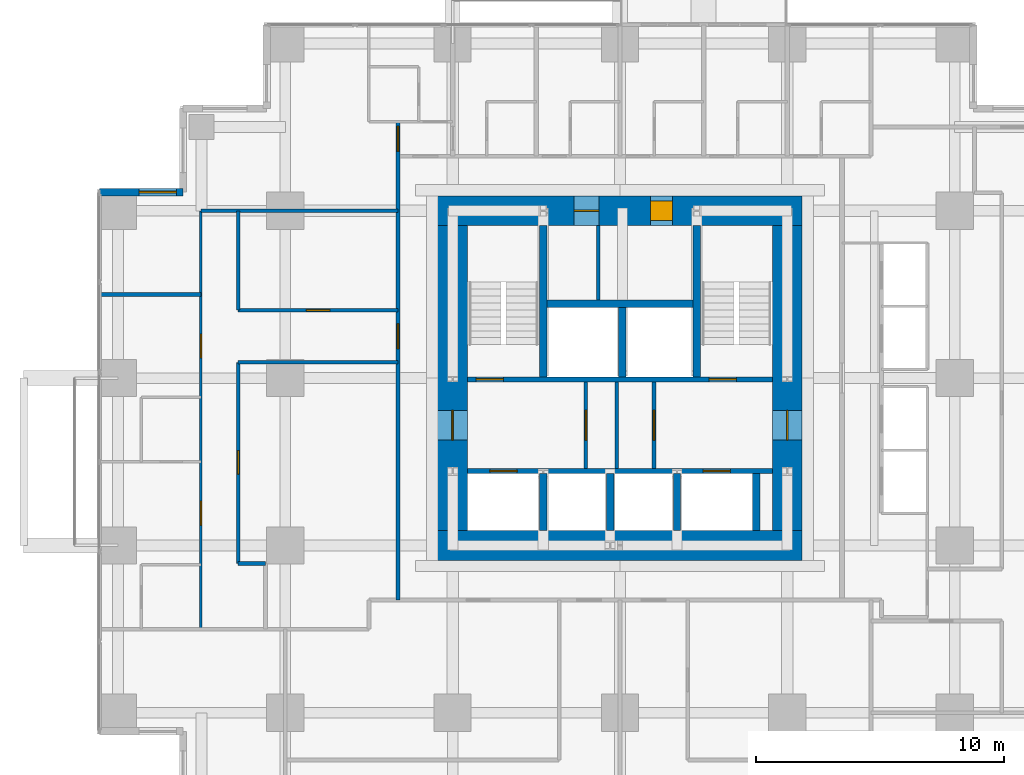
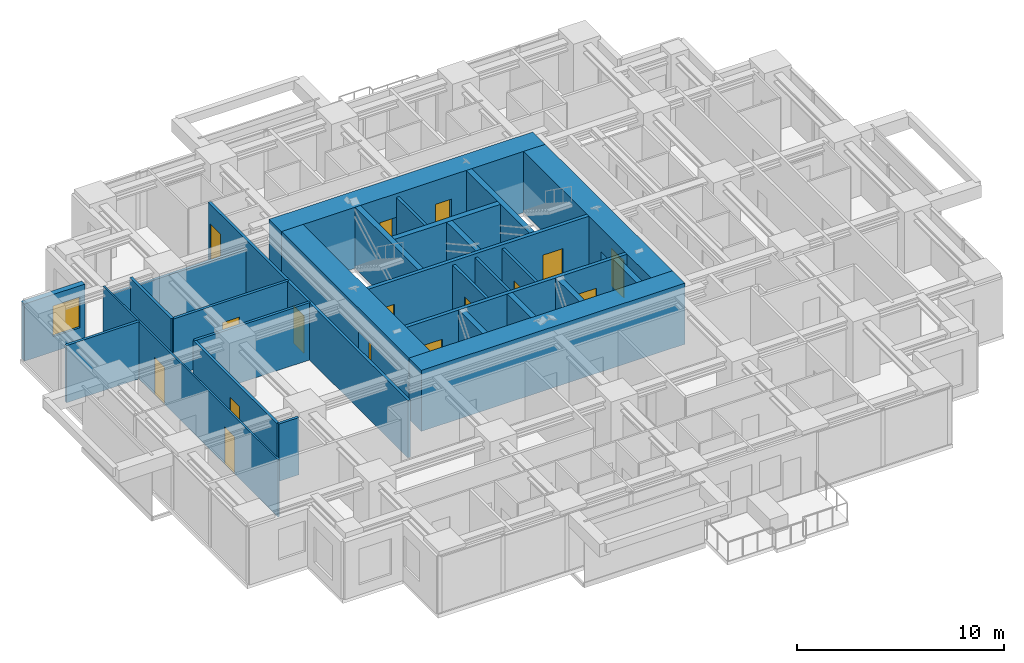
# One storey, part 8 of 12: 28 walls, 16 doors, 1 window, 17 openings.
"""IFC4 building model written with IfcOpenShell, lengths in metres."""

from ifc_helpers import new_model, si_unit, direction, frame, frame_2d, origin, place, context, subcontext, project, spatial, rectangle, extrude, material, layer, layer_set, type_object, element, fill, save


model = new_model("IFC4")

# Units and contexts
model_context = context("Model", 3, precision=1e-05, world=origin(), true_north=direction((0.0, 1.0)))
body_context = subcontext(model_context, "Body", "Model", "MODEL_VIEW")
ifc_project = project(units=[si_unit("LENGTHUNIT", "METRE"), si_unit("AREAUNIT", "SQUARE_METRE"), si_unit("VOLUMEUNIT", "CUBIC_METRE"), si_unit("PLANEANGLEUNIT", "RADIAN"), si_unit("MASSUNIT", "GRAM", prefix="KILO")], contexts=[model_context])

# Site, building, storey
site_placement = place(None, origin())
site = spatial("IfcSite", under=ifc_project, at=site_placement, CompositionType="ELEMENT")
building_placement = place(site_placement, origin())
building = spatial("IfcBuilding", under=site, at=building_placement, Name="Nyansa Garden Tower", CompositionType="ELEMENT")
storey_placement = place(building_placement, frame((0.0, 0.0, 119.699951171875)))
storey = spatial("IfcBuildingStorey", under=building, at=storey_placement, Name="L32", CompositionType="ELEMENT", Elevation=119.699951171875)

# Wall, openings, doors
ifc_material_1 = material(Name="Concrete C70/85", Category="concrete")
ifc_layer_1 = layer(ifc_material_1, 0.199951171875)
ifc_layer_set_1 = layer_set([ifc_layer_1], Name="Core inner wall CI200")
wall_type_1 = type_object("IfcWallType", Name="Core inner wall CI200", PredefinedType="SHEAR", material=ifc_layer_set_1)
wall_1_placement = place(storey_placement, frame((14.10009765625, 16.5, 0.0), z_axis=(0.0, 0.0, 1.0), x_axis=(1.0, 0.0, 0.0)))
wall_1 = element("IfcWall", 1, at=wall_1_placement, inside=storey, type_object=wall_type_1, Name="Core inner wall L32", PredefinedType="SHEAR", context=body_context, shape_type="SweptSolid", body=[
    extrude(rectangle(XDim=12.2998046875, YDim=0.199951171875, at=frame_2d((6.14990234375, 0.0))), origin(), (0.0, 0.0, 1.0), 3.60009765625),
])
opening_1_placement = place(wall_1_placement, frame((0.89990234375, 0.0, 0.0)))
opening_1 = element("IfcOpeningElement", 2, at=opening_1_placement, cuts=wall_1, Name="Opening LD-F", PredefinedType="OPENING", context=body_context, shape_type="SweptSolid", body=[
    extrude(rectangle(XDim=1.10009765625, YDim=2.199951171875, at=frame_2d((0.550048828125, 1.10009765625))), frame((0.0, 0.10986328125, 0.0), z_axis=(0.0, -1.0, 0.0), x_axis=(1.0, 0.0, 0.0)), (0.0, 0.0, 1.0), 0.219970703125),
])
opening_2_placement = place(wall_1_placement, frame((9.5, 0.0, 0.0)))
opening_2 = element("IfcOpeningElement", 3, at=opening_2_placement, cuts=wall_1, Name="Opening LD-F", PredefinedType="OPENING", context=body_context, shape_type="SweptSolid", body=[
    extrude(rectangle(XDim=1.10009765625, YDim=2.199951171875, at=frame_2d((0.550048828125, 1.10009765625))), frame((0.0, 0.10986328125, 0.0), z_axis=(0.0, -1.0, 0.0), x_axis=(1.0, 0.0, 0.0)), (0.0, 0.0, 1.0), 0.219970703125),
])
ifc_material_2 = material(Name="Stainless steel centre-opening landing door of the firefighting lift, EN 81-72, E 120", Category="steel")
door_type_1 = type_object("IfcDoorType", Name="Lift landing door LD-F 1100x2200", OperationType="DOUBLE_DOOR_SLIDING", PredefinedType="DOOR", material=ifc_material_2)
door_1_placement = place(opening_1_placement, origin())
door_1 = element("IfcDoor", 4, at=door_1_placement, inside=storey, type_object=door_type_1, Name="Landing door FF1", OperationType="DOUBLE_DOOR_SLIDING", OverallHeight=2.199951171875, OverallWidth=1.10009765625, PredefinedType="DOOR", context=body_context, shape_type="SweptSolid", body=[
    extrude(rectangle(XDim=1.10009765625, YDim=2.199951171875, at=frame_2d((0.550048828125, 1.10009765625))), frame((0.0, 0.02490234375, 0.0), z_axis=(0.0, -1.0, 0.0), x_axis=(1.0, 0.0, 0.0)), (0.0, 0.0, 1.0), 0.050048828125),
])
fill(opening_1, door_1)
door_2_placement = place(opening_2_placement, origin())
door_2 = element("IfcDoor", 5, at=door_2_placement, inside=storey, type_object=door_type_1, Name="Landing door FF2", OperationType="DOUBLE_DOOR_SLIDING", OverallHeight=2.199951171875, OverallWidth=1.10009765625, PredefinedType="DOOR", context=body_context, shape_type="SweptSolid", body=[
    extrude(rectangle(XDim=1.10009765625, YDim=2.199951171875, at=frame_2d((0.550048828125, 1.10009765625))), frame((0.0, 0.02490234375, 0.0), z_axis=(0.0, -1.0, 0.0), x_axis=(1.0, 0.0, 0.0)), (0.0, 0.0, 1.0), 0.050048828125),
])
fill(opening_2, door_2)

wall_2_placement = place(storey_placement, frame((14.10009765625, 20.199951171875, 0.0), z_axis=(0.0, 0.0, 1.0), x_axis=(1.0, 0.0, 0.0)))
wall_2 = element("IfcWall", 6, at=wall_2_placement, inside=storey, type_object=wall_type_1, Name="Core inner wall L32", PredefinedType="SHEAR", context=body_context, shape_type="SweptSolid", body=[
    extrude(rectangle(XDim=12.2998046875, YDim=0.199951171875, at=frame_2d((6.14990234375, 0.0))), origin(), (0.0, 0.0, 1.0), 3.60009765625),
])
opening_3_placement = place(wall_2_placement, frame((0.35009765625, 0.0, 0.0)))
opening_3 = element("IfcOpeningElement", 7, at=opening_3_placement, cuts=wall_2, Name="Opening D05", PredefinedType="OPENING", context=body_context, shape_type="SweptSolid", body=[
    extrude(rectangle(XDim=1.10009765625, YDim=2.199951171875, at=frame_2d((0.550048828125, 1.10009765625))), frame((0.0, 0.10986328125, 0.0), z_axis=(0.0, -1.0, 0.0), x_axis=(1.0, 0.0, 0.0)), (0.0, 0.0, 1.0), 0.219970703125),
])
opening_4_placement = place(wall_2_placement, frame((9.75, 0.0, 0.0)))
opening_4 = element("IfcOpeningElement", 8, at=opening_4_placement, cuts=wall_2, Name="Opening D05", PredefinedType="OPENING", context=body_context, shape_type="SweptSolid", body=[
    extrude(rectangle(XDim=1.10009765625, YDim=2.199951171875, at=frame_2d((0.550048828125, 1.10009765625))), frame((0.0, 0.10986328125, 0.0), z_axis=(0.0, -1.0, 0.0), x_axis=(1.0, 0.0, 0.0)), (0.0, 0.0, 1.0), 0.219970703125),
])
ifc_material_3 = material(Name="Steel door, 120 minute fire resisting", Category="steel")
door_type_2 = type_object("IfcDoorType", Name="Stair door D05 1100x2200", OperationType="SINGLE_SWING_LEFT", PredefinedType="DOOR", material=ifc_material_3)
door_3_placement = place(opening_3_placement, origin())
door_3 = element("IfcDoor", 9, at=door_3_placement, inside=storey, type_object=door_type_2, Name="Stair S1 door", OperationType="SINGLE_SWING_LEFT", OverallHeight=2.199951171875, OverallWidth=1.10009765625, PredefinedType="DOOR", context=body_context, shape_type="SweptSolid", body=[
    extrude(rectangle(XDim=1.10009765625, YDim=2.199951171875, at=frame_2d((0.550048828125, 1.10009765625))), frame((0.0, 0.02490234375, 0.0), z_axis=(0.0, -1.0, 0.0), x_axis=(1.0, 0.0, 0.0)), (0.0, 0.0, 1.0), 0.050048828125),
])
fill(opening_3, door_3)
door_4_placement = place(opening_4_placement, origin())
door_4 = element("IfcDoor", 10, at=door_4_placement, inside=storey, type_object=door_type_2, Name="Stair S2 door", OperationType="SINGLE_SWING_LEFT", OverallHeight=2.199951171875, OverallWidth=1.10009765625, PredefinedType="DOOR", context=body_context, shape_type="SweptSolid", body=[
    extrude(rectangle(XDim=1.10009765625, YDim=2.199951171875, at=frame_2d((0.550048828125, 1.10009765625))), frame((0.0, 0.02490234375, 0.0), z_axis=(0.0, -1.0, 0.0), x_axis=(1.0, 0.0, 0.0)), (0.0, 0.0, 1.0), 0.050048828125),
])
fill(opening_4, door_4)

# Walls
ifc_material_4 = material(Name="Concrete C70/85", Category="concrete")
ifc_layer_2 = layer(ifc_material_4, 0.300048828125)
ifc_layer_set_2 = layer_set([ifc_layer_2], Name="Core inner wall CI300")
wall_type_2 = type_object("IfcWallType", Name="Core inner wall CI300", PredefinedType="SHEAR", material=ifc_layer_set_2)
for number, where, z_axis, x_axis, name in (
    (11, (17.14990234375, 20.300048828125, 0.0), (0.0, 0.0, 1.0), (0.0, 1.0, 0.0), "Core inner wall L32"),
    (12, (23.35009765625, 20.300048828125, 0.0), (0.0, 0.0, 1.0), (0.0, 1.0, 0.0), "Core inner wall L32"),
):
    element("IfcWall", number, at=place(storey_placement, frame(where, z_axis=z_axis, x_axis=x_axis)), inside=storey, type_object=wall_type_2, Name=name, PredefinedType="SHEAR", context=body_context, shape_type="SweptSolid", body=[
        extrude(rectangle(XDim=6.099853515625, YDim=0.300048828125, at=frame_2d((3.0498046875, 0.0))), origin(), (0.0, 0.0, 1.0), 3.60009765625),
    ])
wall_3_placement = place(storey_placement, frame((20.35009765625, 20.300048828125, 0.0), z_axis=(0.0, 0.0, 1.0), x_axis=(0.0, 1.0, 0.0)))
element("IfcWall", 13, at=wall_3_placement, inside=storey, type_object=wall_type_2, Name="Core inner wall L32", PredefinedType="SHEAR", context=body_context, shape_type="SweptSolid", body=[
    extrude(rectangle(XDim=2.800048828125, YDim=0.300048828125, at=frame_2d((1.39990234375, 0.0))), origin(), (0.0, 0.0, 1.0), 3.60009765625),
])
wall_4_placement = place(storey_placement, frame((17.300048828125, 23.25, 0.0), z_axis=(0.0, 0.0, 1.0), x_axis=(1.0, 0.0, 0.0)))
element("IfcWall", 14, at=wall_4_placement, inside=storey, type_object=wall_type_2, Name="Core inner wall L32", PredefinedType="SHEAR", context=body_context, shape_type="SweptSolid", body=[
    extrude(rectangle(XDim=5.89990234375, YDim=0.300048828125, at=frame_2d((2.949951171875, 0.0))), origin(), (0.0, 0.0, 1.0), 3.60009765625),
])
for number, where, z_axis, x_axis, name in (
    (15, (17.14990234375, 14.10009765625, 0.0), (0.0, 0.0, 1.0), (0.0, 1.0, 0.0), "Core inner wall L32"),
    (16, (19.85009765625, 14.10009765625, 0.0), (0.0, 0.0, 1.0), (0.0, 1.0, 0.0), "Core inner wall L32"),
    (17, (22.550048828125, 14.10009765625, 0.0), (0.0, 0.0, 1.0), (0.0, 1.0, 0.0), "Core inner wall L32"),
    (18, (25.75, 14.10009765625, 0.0), (0.0, 0.0, 1.0), (0.0, 1.0, 0.0), "Core inner wall L32"),
):
    element("IfcWall", number, at=place(storey_placement, frame(where, z_axis=z_axis, x_axis=x_axis)), inside=storey, type_object=wall_type_2, Name=name, PredefinedType="SHEAR", context=body_context, shape_type="SweptSolid", body=[
        extrude(rectangle(XDim=2.2998046875, YDim=0.300048828125, at=frame_2d((1.14990234375, 0.0))), origin(), (0.0, 0.0, 1.0), 3.60009765625),
    ])
ifc_material_5 = material(Name="Concrete C80/95", Category="concrete")
ifc_layer_3 = layer(ifc_material_5, 1.199951171875)
ifc_layer_set_3 = layer_set([ifc_layer_3], Name="Core wall CW1200")
wall_type_3 = type_object("IfcWallType", Name="Core wall CW1200", PredefinedType="SHEAR", material=ifc_layer_set_3)
wall_5_placement = place(storey_placement, frame((12.89990234375, 13.5, 0.0), z_axis=(0.0, 0.0, 1.0), x_axis=(1.0, 0.0, 0.0)))
element("IfcWall", 19, at=wall_5_placement, inside=storey, type_object=wall_type_3, Name="Core wall S L32", PredefinedType="SHEAR", context=body_context, shape_type="SweptSolid", body=[
    extrude(rectangle(XDim=14.7001953125, YDim=1.199951171875, at=frame_2d((7.35009765625, 0.0))), origin(), (0.0, 0.0, 1.0), 3.60009765625),
])

# Wall, opening, door
wall_6_placement = place(storey_placement, frame((27.0, 14.10009765625, 0.0), z_axis=(0.0, 0.0, 1.0), x_axis=(0.0, 1.0, 0.0)))
wall_6 = element("IfcWall", 20, at=wall_6_placement, inside=storey, type_object=wall_type_3, Name="Core wall E L32", PredefinedType="SHEAR", context=body_context, shape_type="SweptSolid", body=[
    extrude(rectangle(XDim=12.2998046875, YDim=1.199951171875, at=frame_2d((6.14990234375, 0.0))), origin(), (0.0, 0.0, 1.0), 3.60009765625),
])
opening_5_placement = place(wall_6_placement, frame((3.64990234375, 0.0, 0.0)))
opening_5 = element("IfcOpeningElement", 21, at=opening_5_placement, cuts=wall_6, Name="Opening D06", PredefinedType="OPENING", context=body_context, shape_type="SweptSolid", body=[
    extrude(rectangle(XDim=1.199951171875, YDim=2.199951171875, at=frame_2d((0.60009765625, 1.10009765625))), frame((0.0, 0.60986328125, 0.0), z_axis=(0.0, -1.0, 0.0), x_axis=(1.0, 0.0, 0.0)), (0.0, 0.0, 1.0), 1.219970703125),
])
ifc_material_6 = material(Name="Steel door, 120 minute fire resisting", Category="steel")
door_type_3 = type_object("IfcDoorType", Name="Lobby door D06 1200x2200", OperationType="DOUBLE_DOOR_SINGLE_SWING", PredefinedType="DOOR", material=ifc_material_6)
door_5_placement = place(opening_5_placement, origin())
door_5 = element("IfcDoor", 22, at=door_5_placement, inside=storey, type_object=door_type_3, Name="Lift lobby door east", OperationType="DOUBLE_DOOR_SINGLE_SWING", OverallHeight=2.199951171875, OverallWidth=1.199951171875, PredefinedType="DOOR", context=body_context, shape_type="SweptSolid", body=[
    extrude(rectangle(XDim=1.199951171875, YDim=2.199951171875, at=frame_2d((0.60009765625, 1.10009765625))), frame((0.0, 0.02490234375, 0.0), z_axis=(0.0, -1.0, 0.0), x_axis=(1.0, 0.0, 0.0)), (0.0, 0.0, 1.0), 0.050048828125),
])
fill(opening_5, door_5)

# Wall, openings, doors
wall_7_placement = place(storey_placement, frame((27.60009765625, 27.0, 0.0), z_axis=(0.0, 0.0, 1.0), x_axis=(-1.0, 0.0, 0.0)))
wall_7 = element("IfcWall", 23, at=wall_7_placement, inside=storey, type_object=wall_type_3, Name="Core wall N L32", PredefinedType="SHEAR", context=body_context, shape_type="SweptSolid", body=[
    extrude(rectangle(XDim=14.7001953125, YDim=1.199951171875, at=frame_2d((7.35009765625, 0.0))), origin(), (0.0, 0.0, 1.0), 3.60009765625),
])
opening_6_placement = place(wall_7_placement, frame((5.22509765625, 0.0, 0.0)))
opening_6 = element("IfcOpeningElement", 24, at=opening_6_placement, cuts=wall_7, Name="Opening D15", PredefinedType="OPENING", context=body_context, shape_type="SweptSolid", body=[
    extrude(rectangle(XDim=0.89990234375, YDim=2.199951171875, at=frame_2d((0.449951171875, 1.10009765625))), frame((0.0, 0.60986328125, 0.0), z_axis=(0.0, -1.0, 0.0), x_axis=(1.0, 0.0, 0.0)), (0.0, 0.0, 1.0), 1.219970703125),
])
opening_7_placement = place(wall_7_placement, frame((8.199951171875, 0.0, 0.0)))
opening_7 = element("IfcOpeningElement", 25, at=opening_7_placement, cuts=wall_7, Name="Opening D07", PredefinedType="OPENING", context=body_context, shape_type="SweptSolid", body=[
    extrude(rectangle(XDim=1.0, YDim=2.199951171875, at=frame_2d((0.5, 1.10009765625))), frame((0.0, 0.60986328125, 0.0), z_axis=(0.0, -1.0, 0.0), x_axis=(1.0, 0.0, 0.0)), (0.0, 0.0, 1.0), 1.219970703125),
])
ifc_material_7 = material(Name="Timber flush door, 60 minute fire resisting, self-closing", Category="wood")
door_type_4 = type_object("IfcDoorType", Name="Core room door D15 900x2200", OperationType="SINGLE_SWING_LEFT", PredefinedType="DOOR", material=ifc_material_7)
door_6_placement = place(opening_6_placement, origin())
door_6 = element("IfcDoor", 26, at=door_6_placement, inside=storey, type_object=door_type_4, Name="Core room door", OperationType="SINGLE_SWING_LEFT", OverallHeight=2.199951171875, OverallWidth=0.89990234375, PredefinedType="DOOR", context=body_context, shape_type="SweptSolid", body=[
    extrude(rectangle(XDim=0.89990234375, YDim=2.199951171875, at=frame_2d((0.449951171875, 1.10009765625))), frame((0.0, 0.39990234375, 0.0), z_axis=(0.0, -1.0, 0.0), x_axis=(1.0, 0.0, 0.0)), (0.0, 0.0, 1.0), 0.800048828125),
])
fill(opening_6, door_6)
ifc_material_8 = material(Name="Steel door, 120 minute fire resisting", Category="steel")
door_type_5 = type_object("IfcDoorType", Name="Riser door D07 1000x2200", OperationType="SINGLE_SWING_LEFT", PredefinedType="DOOR", material=ifc_material_8)
door_7_placement = place(opening_7_placement, origin())
door_7 = element("IfcDoor", 27, at=door_7_placement, inside=storey, type_object=door_type_5, Name="Riser and refuse room door", OperationType="SINGLE_SWING_LEFT", OverallHeight=2.199951171875, OverallWidth=1.0, PredefinedType="DOOR", context=body_context, shape_type="SweptSolid", body=[
    extrude(rectangle(XDim=1.0, YDim=2.199951171875, at=frame_2d((0.5, 1.10009765625))), frame((0.0, 0.02490234375, 0.0), z_axis=(0.0, -1.0, 0.0), x_axis=(1.0, 0.0, 0.0)), (0.0, 0.0, 1.0), 0.050048828125),
])
fill(opening_7, door_7)

# Wall, opening, door
wall_8_placement = place(storey_placement, frame((13.5, 26.39990234375, 0.0), z_axis=(0.0, 0.0, 1.0), x_axis=(0.0, -1.0, 0.0)))
wall_8 = element("IfcWall", 28, at=wall_8_placement, inside=storey, type_object=wall_type_3, Name="Core wall W L32", PredefinedType="SHEAR", context=body_context, shape_type="SweptSolid", body=[
    extrude(rectangle(XDim=12.2998046875, YDim=1.199951171875, at=frame_2d((6.14990234375, 0.0))), origin(), (0.0, 0.0, 1.0), 3.60009765625),
])
opening_8_placement = place(wall_8_placement, frame((7.449951171875, 0.0, 0.0)))
opening_8 = element("IfcOpeningElement", 29, at=opening_8_placement, cuts=wall_8, Name="Opening D06", PredefinedType="OPENING", context=body_context, shape_type="SweptSolid", body=[
    extrude(rectangle(XDim=1.199951171875, YDim=2.199951171875, at=frame_2d((0.60009765625, 1.10009765625))), frame((0.0, 0.60986328125, 0.0), z_axis=(0.0, -1.0, 0.0), x_axis=(1.0, 0.0, 0.0)), (0.0, 0.0, 1.0), 1.219970703125),
])
door_8_placement = place(opening_8_placement, origin())
door_8 = element("IfcDoor", 30, at=door_8_placement, inside=storey, type_object=door_type_3, Name="Lift lobby door west", OperationType="DOUBLE_DOOR_SINGLE_SWING", OverallHeight=2.199951171875, OverallWidth=1.199951171875, PredefinedType="DOOR", context=body_context, shape_type="SweptSolid", body=[
    extrude(rectangle(XDim=1.199951171875, YDim=2.199951171875, at=frame_2d((0.60009765625, 1.10009765625))), frame((0.0, 0.02490234375, 0.0), z_axis=(0.0, -1.0, 0.0), x_axis=(1.0, 0.0, 0.0)), (0.0, 0.0, 1.0), 0.050048828125),
])
fill(opening_8, door_8)

ifc_material_9 = material(Name="Blockwork, plastered both sides", Category="masonry")
ifc_layer_4 = layer(ifc_material_9, 0.14990234375)
ifc_layer_set_4 = layer_set([ifc_layer_4], Name="Partition PW150")
wall_type_4 = type_object("IfcWallType", Name="Partition PW150", PredefinedType="PARTITIONING", material=ifc_layer_set_4)
wall_9_placement = place(storey_placement, frame((18.875, 16.60009765625, 0.0), z_axis=(0.0, 0.0, 1.0), x_axis=(0.0, 1.0, 0.0)))
wall_9 = element("IfcWall", 31, at=wall_9_placement, inside=storey, type_object=wall_type_4, Name="Partition", PredefinedType="PARTITIONING", context=body_context, shape_type="SweptSolid", body=[
    extrude(rectangle(XDim=3.5, YDim=0.14990234375, at=frame_2d((1.75, 0.0))), origin(), (0.0, 0.0, 1.0), 3.375),
])
opening_9_placement = place(wall_9_placement, frame((1.14990234375, 0.0, 0.0)))
opening_9 = element("IfcOpeningElement", 32, at=opening_9_placement, cuts=wall_9, Name="Opening D06", PredefinedType="OPENING", context=body_context, shape_type="SweptSolid", body=[
    extrude(rectangle(XDim=1.199951171875, YDim=2.199951171875, at=frame_2d((0.60009765625, 1.10009765625))), frame((0.0, 0.0849609375, 0.0), z_axis=(0.0, -1.0, 0.0), x_axis=(1.0, 0.0, 0.0)), (0.0, 0.0, 1.0), 0.169921875),
])
door_9_placement = place(opening_9_placement, origin())
door_9 = element("IfcDoor", 33, at=door_9_placement, inside=storey, type_object=door_type_3, Name="Passenger lift lobby door", OperationType="DOUBLE_DOOR_SINGLE_SWING", OverallHeight=2.199951171875, OverallWidth=1.199951171875, PredefinedType="DOOR", context=body_context, shape_type="SweptSolid", body=[
    extrude(rectangle(XDim=1.199951171875, YDim=2.199951171875, at=frame_2d((0.60009765625, 1.10009765625))), frame((0.0, 0.02490234375, 0.0), z_axis=(0.0, -1.0, 0.0), x_axis=(1.0, 0.0, 0.0)), (0.0, 0.0, 1.0), 0.050048828125),
])
fill(opening_9, door_9)

wall_10_placement = place(storey_placement, frame((21.625, 16.60009765625, 0.0), z_axis=(0.0, 0.0, 1.0), x_axis=(0.0, 1.0, 0.0)))
wall_10 = element("IfcWall", 34, at=wall_10_placement, inside=storey, type_object=wall_type_4, Name="Partition", PredefinedType="PARTITIONING", context=body_context, shape_type="SweptSolid", body=[
    extrude(rectangle(XDim=3.5, YDim=0.14990234375, at=frame_2d((1.75, 0.0))), origin(), (0.0, 0.0, 1.0), 3.375),
])
opening_10_placement = place(wall_10_placement, frame((1.14990234375, 0.0, 0.0)))
opening_10 = element("IfcOpeningElement", 35, at=opening_10_placement, cuts=wall_10, Name="Opening D06", PredefinedType="OPENING", context=body_context, shape_type="SweptSolid", body=[
    extrude(rectangle(XDim=1.199951171875, YDim=2.199951171875, at=frame_2d((0.60009765625, 1.10009765625))), frame((0.0, 0.0849609375, 0.0), z_axis=(0.0, -1.0, 0.0), x_axis=(1.0, 0.0, 0.0)), (0.0, 0.0, 1.0), 0.169921875),
])
door_10_placement = place(opening_10_placement, origin())
door_10 = element("IfcDoor", 36, at=door_10_placement, inside=storey, type_object=door_type_3, Name="Passenger lift lobby door", OperationType="DOUBLE_DOOR_SINGLE_SWING", OverallHeight=2.199951171875, OverallWidth=1.199951171875, PredefinedType="DOOR", context=body_context, shape_type="SweptSolid", body=[
    extrude(rectangle(XDim=1.199951171875, YDim=2.199951171875, at=frame_2d((0.60009765625, 1.10009765625))), frame((0.0, 0.02490234375, 0.0), z_axis=(0.0, -1.0, 0.0), x_axis=(1.0, 0.0, 0.0)), (0.0, 0.0, 1.0), 0.050048828125),
])
fill(opening_10, door_10)

# Walls
wall_11_placement = place(storey_placement, frame((20.1201171875, 16.60009765625, 0.0), z_axis=(0.0, 0.0, 1.0), x_axis=(0.0, 1.0, 0.0)))
element("IfcWall", 37, at=wall_11_placement, inside=storey, type_object=wall_type_4, Name="Partition", PredefinedType="PARTITIONING", context=body_context, shape_type="SweptSolid", body=[
    extrude(rectangle(XDim=3.5, YDim=0.14990234375, at=frame_2d((1.75, 0.0))), origin(), (0.0, 0.0, 1.0), 3.375),
])
wall_12_placement = place(storey_placement, frame((19.375, 23.39990234375, 0.0), z_axis=(0.0, 0.0, 1.0), x_axis=(0.0, 1.0, 0.0)))
element("IfcWall", 38, at=wall_12_placement, inside=storey, type_object=wall_type_4, Name="Partition", PredefinedType="PARTITIONING", context=body_context, shape_type="SweptSolid", body=[
    extrude(rectangle(XDim=3.0, YDim=0.14990234375, at=frame_2d((1.5, 0.0))), origin(), (0.0, 0.0, 1.0), 3.375),
])
wall_13_placement = place(storey_placement, frame((-0.73388671875, 23.625, 0.0), z_axis=(0.0, 0.0, 1.0), x_axis=(1.0, 0.0, 0.0)))
element("IfcWall", 39, at=wall_13_placement, inside=storey, type_object=wall_type_4, Name="Partition", PredefinedType="PARTITIONING", context=body_context, shape_type="SweptSolid", body=[
    extrude(rectangle(XDim=4.083984375, YDim=0.14990234375, at=frame_2d((2.0419921875, 0.0))), origin(), (0.0, 0.0, 1.0), 3.375),
])
wall_14_placement = place(storey_placement, frame((3.35009765625, 27.0, 0.0), z_axis=(0.0, 0.0, 1.0), x_axis=(1.0, 0.0, 0.0)))
element("IfcWall", 40, at=wall_14_placement, inside=storey, type_object=wall_type_4, Name="Partition", PredefinedType="PARTITIONING", context=body_context, shape_type="SweptSolid", body=[
    extrude(rectangle(XDim=7.949951171875, YDim=0.14990234375, at=frame_2d((3.97509765625, 0.0))), origin(), (0.0, 0.0, 1.0), 2.80615234375),
])

# Wall, opening, door
wall_15_placement = place(storey_placement, frame((4.85009765625, 12.77490234375, 0.0), z_axis=(0.0, 0.0, 1.0), x_axis=(0.0, 1.0, 0.0)))
wall_15 = element("IfcWall", 41, at=wall_15_placement, inside=storey, type_object=wall_type_4, Name="Partition", PredefinedType="PARTITIONING", context=body_context, shape_type="SweptSolid", body=[
    extrude(rectangle(XDim=8.112548828125, YDim=0.14990234375, at=frame_2d((4.05615234375, 0.0))), origin(), (0.0, 0.0, 1.0), 3.375),
])
opening_11_placement = place(wall_15_placement, frame((3.60009765625, 0.0, 0.0)))
opening_11 = element("IfcOpeningElement", 42, at=opening_11_placement, cuts=wall_15, Name="Opening D01", PredefinedType="OPENING", context=body_context, shape_type="SweptSolid", body=[
    extrude(rectangle(XDim=0.949951171875, YDim=2.199951171875, at=frame_2d((0.47509765625, 1.10009765625))), frame((0.0, 0.0849609375, 0.0), z_axis=(0.0, -1.0, 0.0), x_axis=(1.0, 0.0, 0.0)), (0.0, 0.0, 1.0), 0.169921875),
])
ifc_material_10 = material(Name="Timber flush door, 30 minute fire resisting", Category="wood")
door_type_6 = type_object("IfcDoorType", Name="Bedroom door D01 950x2200", OperationType="SINGLE_SWING_LEFT", PredefinedType="DOOR", material=ifc_material_10)
door_11_placement = place(opening_11_placement, origin())
door_11 = element("IfcDoor", 43, at=door_11_placement, inside=storey, type_object=door_type_6, Name="Door L32-060", OperationType="SINGLE_SWING_LEFT", OverallHeight=2.199951171875, OverallWidth=0.949951171875, PredefinedType="DOOR", context=body_context, shape_type="SweptSolid", body=[
    extrude(rectangle(XDim=0.949951171875, YDim=2.199951171875, at=frame_2d((0.47509765625, 1.10009765625))), frame((0.0, 0.02490234375, 0.0), z_axis=(0.0, -1.0, 0.0), x_axis=(1.0, 0.0, 0.0)), (0.0, 0.0, 1.0), 0.050048828125),
])
fill(opening_11, door_11)

# Walls
wall_16_placement = place(storey_placement, frame((4.85009765625, 12.77490234375, 0.0), z_axis=(0.0, 0.0, 1.0), x_axis=(1.0, 0.0, 0.0)))
element("IfcWall", 44, at=wall_16_placement, inside=storey, type_object=wall_type_4, Name="Partition", PredefinedType="PARTITIONING", context=body_context, shape_type="SweptSolid", body=[
    extrude(rectangle(XDim=1.099853515625, YDim=0.14990234375, at=frame_2d((0.5498046875, 0.0))), origin(), (0.0, 0.0, 1.0), 3.375),
])
wall_17_placement = place(storey_placement, frame((4.85009765625, 20.886962890625, 0.0), z_axis=(0.0, 0.0, 1.0), x_axis=(1.0, 0.0, 0.0)))
element("IfcWall", 45, at=wall_17_placement, inside=storey, type_object=wall_type_4, Name="Partition", PredefinedType="PARTITIONING", context=body_context, shape_type="SweptSolid", body=[
    extrude(rectangle(XDim=6.449951171875, YDim=0.14990234375, at=frame_2d((3.22509765625, 0.0))), origin(), (0.0, 0.0, 1.0), 3.375),
])
wall_18_placement = place(storey_placement, frame((4.85009765625, 22.987548828125, 0.0), z_axis=(0.0, 0.0, 1.0), x_axis=(0.0, 1.0, 0.0)))
element("IfcWall", 46, at=wall_18_placement, inside=storey, type_object=wall_type_4, Name="Partition", PredefinedType="PARTITIONING", context=body_context, shape_type="SweptSolid", body=[
    extrude(rectangle(XDim=4.012451171875, YDim=0.14990234375, at=frame_2d((2.00634765625, 0.0))), origin(), (0.0, 0.0, 1.0), 3.375),
])

# Wall, opening, door
wall_19_placement = place(storey_placement, frame((4.85009765625, 22.988037109375, 0.0), z_axis=(0.0, 0.0, 1.0), x_axis=(1.0, 0.0, 0.0)))
wall_19 = element("IfcWall", 47, at=wall_19_placement, inside=storey, type_object=wall_type_4, Name="Partition", PredefinedType="PARTITIONING", context=body_context, shape_type="SweptSolid", body=[
    extrude(rectangle(XDim=6.449951171875, YDim=0.14990234375, at=frame_2d((3.22509765625, 0.0))), origin(), (0.0, 0.0, 1.0), 3.375),
])
opening_12_placement = place(wall_19_placement, frame((2.75, 0.0, 0.0)))
opening_12 = element("IfcOpeningElement", 48, at=opening_12_placement, cuts=wall_19, Name="Opening D01", PredefinedType="OPENING", context=body_context, shape_type="SweptSolid", body=[
    extrude(rectangle(XDim=0.949951171875, YDim=2.199951171875, at=frame_2d((0.47509765625, 1.10009765625))), frame((0.0, 0.0849609375, 0.0), z_axis=(0.0, -1.0, 0.0), x_axis=(1.0, 0.0, 0.0)), (0.0, 0.0, 1.0), 0.169921875),
])
door_12_placement = place(opening_12_placement, origin())
door_12 = element("IfcDoor", 49, at=door_12_placement, inside=storey, type_object=door_type_6, Name="Door L32-061", OperationType="SINGLE_SWING_LEFT", OverallHeight=2.199951171875, OverallWidth=0.949951171875, PredefinedType="DOOR", context=body_context, shape_type="SweptSolid", body=[
    extrude(rectangle(XDim=0.949951171875, YDim=2.199951171875, at=frame_2d((0.47509765625, 1.10009765625))), frame((0.0, 0.02490234375, 0.0), z_axis=(0.0, -1.0, 0.0), x_axis=(1.0, 0.0, 0.0)), (0.0, 0.0, 1.0), 0.050048828125),
])
fill(opening_12, door_12)

# Wall, openings, doors
wall_20_placement = place(storey_placement, frame((11.300048828125, 11.300048828125, 0.0), z_axis=(0.0, 0.0, 1.0), x_axis=(0.0, 1.0, 0.0)))
wall_20 = element("IfcWall", 50, at=wall_20_placement, inside=storey, type_object=wall_type_4, Name="Partition", PredefinedType="PARTITIONING", context=body_context, shape_type="SweptSolid", body=[
    extrude(rectangle(XDim=19.300048828125, YDim=0.14990234375, at=frame_2d((9.64990234375, 0.0))), origin(), (0.0, 0.0, 1.0), 3.375),
])
opening_13_placement = place(wall_20_placement, frame((18.10009765625, 0.0, 0.0)))
opening_13 = element("IfcOpeningElement", 51, at=opening_13_placement, cuts=wall_20, Name="Opening D03", PredefinedType="OPENING", context=body_context, shape_type="SweptSolid", body=[
    extrude(rectangle(XDim=1.0, YDim=2.199951171875, at=frame_2d((0.5, 1.10009765625))), frame((0.0, 0.0849609375, 0.0), z_axis=(0.0, -1.0, 0.0), x_axis=(1.0, 0.0, 0.0)), (0.0, 0.0, 1.0), 0.169921875),
])
opening_14_placement = place(wall_20_placement, frame((10.137451171875, 0.0, 0.0)))
opening_14 = element("IfcOpeningElement", 52, at=opening_14_placement, cuts=wall_20, Name="Opening D03", PredefinedType="OPENING", context=body_context, shape_type="SweptSolid", body=[
    extrude(rectangle(XDim=1.0, YDim=2.199951171875, at=frame_2d((0.5, 1.10009765625))), frame((0.0, 0.0849609375, 0.0), z_axis=(0.0, -1.0, 0.0), x_axis=(1.0, 0.0, 0.0)), (0.0, 0.0, 1.0), 0.169921875),
])
ifc_material_11 = material(Name="Timber flush door, 60 minute fire resisting", Category="wood")
door_type_7 = type_object("IfcDoorType", Name="Cluster entrance door D03 1000x2200", OperationType="SINGLE_SWING_LEFT", PredefinedType="DOOR", material=ifc_material_11)
door_13_placement = place(opening_13_placement, origin())
door_13 = element("IfcDoor", 53, at=door_13_placement, inside=storey, type_object=door_type_7, Name="Door L32-054", OperationType="SINGLE_SWING_LEFT", OverallHeight=2.199951171875, OverallWidth=1.0, PredefinedType="DOOR", context=body_context, shape_type="SweptSolid", body=[
    extrude(rectangle(XDim=1.0, YDim=2.199951171875, at=frame_2d((0.5, 1.10009765625))), frame((0.0, 0.02490234375, 0.0), z_axis=(0.0, -1.0, 0.0), x_axis=(1.0, 0.0, 0.0)), (0.0, 0.0, 1.0), 0.050048828125),
])
fill(opening_13, door_13)
door_14_placement = place(opening_14_placement, origin())
door_14 = element("IfcDoor", 54, at=door_14_placement, inside=storey, type_object=door_type_7, Name="Door L32-059", OperationType="SINGLE_SWING_LEFT", OverallHeight=2.199951171875, OverallWidth=1.0, PredefinedType="DOOR", context=body_context, shape_type="SweptSolid", body=[
    extrude(rectangle(XDim=1.0, YDim=2.199951171875, at=frame_2d((0.5, 1.10009765625))), frame((0.0, 0.02490234375, 0.0), z_axis=(0.0, -1.0, 0.0), x_axis=(1.0, 0.0, 0.0)), (0.0, 0.0, 1.0), 0.050048828125),
])
fill(opening_14, door_14)

# Wall, opening, window
ifc_material_12 = material(Name="Turquoise glazed tile on concrete blockwork", Category="masonry")
ifc_layer_5 = layer(ifc_material_12, 0.300048828125)
ifc_layer_set_5 = layer_set([ifc_layer_5], Name="Tiled corner wall TW300")
wall_type_5 = type_object("IfcWallType", Name="Tiled corner wall TW300", PredefinedType="SOLIDWALL", material=ifc_layer_set_5)
wall_21_placement = place(storey_placement, frame((2.625, 27.75, 0.0), z_axis=(0.0, 0.0, 1.0), x_axis=(-1.0, 0.0, 0.0)))
wall_21 = element("IfcWall", 55, at=wall_21_placement, inside=storey, type_object=wall_type_5, Name="Tiled corner wall L32", PredefinedType="SOLIDWALL", context=body_context, shape_type="SweptSolid", body=[
    extrude(rectangle(XDim=3.375, YDim=0.300048828125, at=frame_2d((1.6875, 0.0))), origin(), (0.0, 0.0, 1.0), 3.375),
])
opening_15_placement = place(wall_21_placement, frame((0.267578125, 0.0, 0.89990234375)))
opening_15 = element("IfcOpeningElement", 56, at=opening_15_placement, cuts=wall_21, Name="Opening W1", PredefinedType="OPENING", context=body_context, shape_type="SweptSolid", body=[
    extrude(rectangle(XDim=1.5, YDim=1.800048828125, at=frame_2d((0.75, 0.89990234375))), frame((0.0, 0.159912109375, 0.0), z_axis=(0.0, -1.0, 0.0), x_axis=(1.0, 0.0, 0.0)), (0.0, 0.0, 1.0), 0.320068359375),
])
ifc_material_13 = material(Name="Black aluminium frame, dark tinted double glazing", Category="aluminium")
window_type = type_object("IfcWindowType", Name="Window W1 1500x1800", PartitioningType="SINGLE_PANEL", PredefinedType="WINDOW", material=ifc_material_13)
window_placement = place(opening_15_placement, origin())
window = element("IfcWindow", 57, at=window_placement, inside=storey, type_object=window_type, Name="Corner window L32", OverallHeight=1.800048828125, OverallWidth=1.5, PartitioningType="SINGLE_PANEL", PredefinedType="WINDOW", context=body_context, shape_type="SweptSolid", body=[
    extrude(rectangle(XDim=1.5, YDim=1.800048828125, at=frame_2d((0.75, 0.89990234375))), frame((0.0, 0.030029296875, 0.0), z_axis=(0.0, -1.0, 0.0), x_axis=(1.0, 0.0, 0.0)), (0.0, 0.0, 1.0), 0.06005859375),
])
fill(opening_15, window)

# Wall, openings, doors
ifc_material_14 = material(Name="Moisture resistant board on steel studs, tiled", Category="steel")
ifc_layer_6 = layer(ifc_material_14, 0.10009765625)
ifc_layer_set_6 = layer_set([ifc_layer_6], Name="Wet wall PW100")
wall_type_6 = type_object("IfcWallType", Name="Wet wall PW100", PredefinedType="PARTITIONING", material=ifc_layer_set_6)
wall_22_placement = place(storey_placement, frame((3.35009765625, 10.125, 0.0), z_axis=(0.0, 0.0, 1.0), x_axis=(0.0, 1.0, 0.0)))
wall_22 = element("IfcWall", 58, at=wall_22_placement, inside=storey, type_object=wall_type_6, Name="Wet wall", PredefinedType="PARTITIONING", context=body_context, shape_type="SweptSolid", body=[
    extrude(rectangle(XDim=16.875, YDim=0.10009765625, at=frame_2d((8.4375, 0.0))), origin(), (0.0, 0.0, 1.0), 3.375),
])
opening_16_placement = place(wall_22_placement, frame((4.199951171875, 0.0, 0.0)))
opening_16 = element("IfcOpeningElement", 59, at=opening_16_placement, cuts=wall_22, Name="Opening D14", PredefinedType="OPENING", context=body_context, shape_type="SweptSolid", body=[
    extrude(rectangle(XDim=0.949951171875, YDim=2.199951171875, at=frame_2d((0.47509765625, 1.10009765625))), frame((0.0, 0.06005859375, 0.0), z_axis=(0.0, -1.0, 0.0), x_axis=(1.0, 0.0, 0.0)), (0.0, 0.0, 1.0), 0.1201171875),
])
opening_17_placement = place(wall_22_placement, frame((10.949951171875, 0.0, 0.0)))
opening_17 = element("IfcOpeningElement", 60, at=opening_17_placement, cuts=wall_22, Name="Opening D14", PredefinedType="OPENING", context=body_context, shape_type="SweptSolid", body=[
    extrude(rectangle(XDim=0.949951171875, YDim=2.199951171875, at=frame_2d((0.47509765625, 1.10009765625))), frame((0.0, 0.06005859375, 0.0), z_axis=(0.0, -1.0, 0.0), x_axis=(1.0, 0.0, 0.0)), (0.0, 0.0, 1.0), 0.1201171875),
])
ifc_material_15 = material(Name="Timber flush door, 60 minute fire resisting, self-closing", Category="wood")
door_type_8 = type_object("IfcDoorType", Name="Studio entrance door D14 950x2200", OperationType="SINGLE_SWING_LEFT", PredefinedType="DOOR", material=ifc_material_15)
door_15_placement = place(opening_16_placement, origin())
door_15 = element("IfcDoor", 61, at=door_15_placement, inside=storey, type_object=door_type_8, Name="Door L32-055", OperationType="SINGLE_SWING_LEFT", OverallHeight=2.199951171875, OverallWidth=0.949951171875, PredefinedType="DOOR", context=body_context, shape_type="SweptSolid", body=[
    extrude(rectangle(XDim=0.949951171875, YDim=2.199951171875, at=frame_2d((0.47509765625, 1.10009765625))), frame((0.0, 0.02490234375, 0.0), z_axis=(0.0, -1.0, 0.0), x_axis=(1.0, 0.0, 0.0)), (0.0, 0.0, 1.0), 0.050048828125),
])
fill(opening_16, door_15)
door_16_placement = place(opening_17_placement, origin())
door_16 = element("IfcDoor", 62, at=door_16_placement, inside=storey, type_object=door_type_8, Name="Door L32-057", OperationType="SINGLE_SWING_LEFT", OverallHeight=2.199951171875, OverallWidth=0.949951171875, PredefinedType="DOOR", context=body_context, shape_type="SweptSolid", body=[
    extrude(rectangle(XDim=0.949951171875, YDim=2.199951171875, at=frame_2d((0.47509765625, 1.10009765625))), frame((0.0, 0.02490234375, 0.0), z_axis=(0.0, -1.0, 0.0), x_axis=(1.0, 0.0, 0.0)), (0.0, 0.0, 1.0), 0.050048828125),
])
fill(opening_17, door_16)

save(model, "model.ifc")
